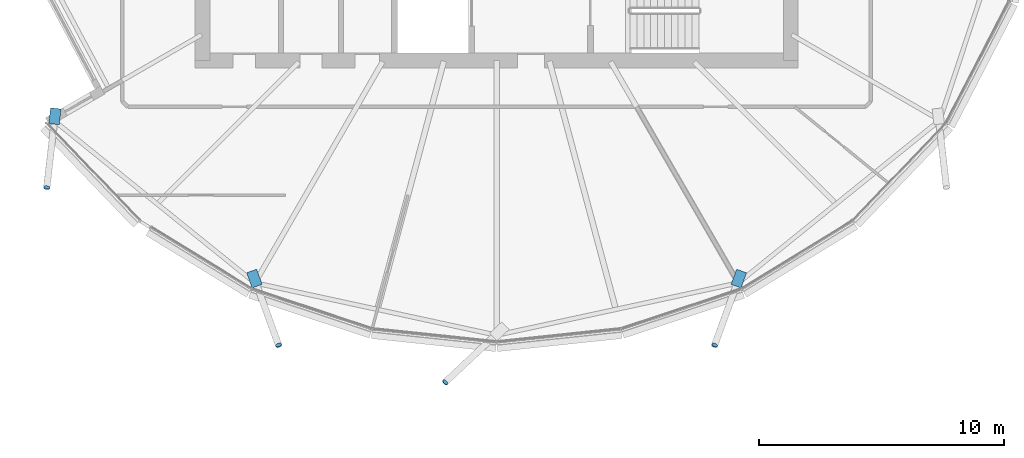
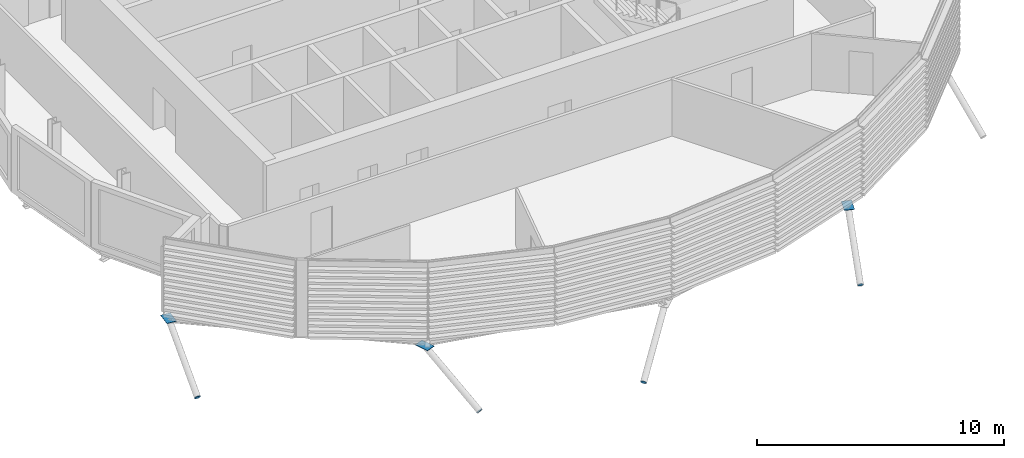
# One storey, part 26 of 36: 7 discrete accessories.
"""IFC4 building model written with IfcOpenShell, lengths in metres."""

import ifcopenshell
import ifcopenshell.guid

model = None  # the IFC model being written
_history = None  # IfcOwnerHistory: only IFC2X3 demands one
_inside = {}  # id of a spatial element -> (the spatial element, [elements in it])
_under = {}  # id of a project, library or spatial element -> (it, [spatial elements below it])
_declared = {}  # id of a project -> (the project, [libraries it declares])
_typed = {}  # id of a type object -> (the type object, [elements of that type])
_made_of = {}  # id of a material, layer set ... -> (it, [elements and type objects made of it])


def new_model(schema):
    """Start an empty IFC model of exactly this schema.

    Asked for "IFC4X3", IfcOpenShell would pick the latest addendum, in which some entities
    have other attributes; the version numbers below select the first issue.
    IFC2X3 requires an IfcOwnerHistory on every rooted entity: one is made here for all.
    """
    global model, _history
    if schema == "IFC4X3":
        model = ifcopenshell.file(schema_version=(4, 3, 0, 0))
    else:
        model = ifcopenshell.file(schema=schema)
    _inside.clear()
    _under.clear()
    _declared.clear()
    _typed.clear()
    _made_of.clear()
    _history = None
    if model.schema == "IFC2X3":
        org = make("IfcOrganization", Name="unknown")
        user = make(
            "IfcPersonAndOrganization",
            ThePerson=make("IfcPerson", FamilyName="unknown"),
            TheOrganization=org,
        )
        app = make(
            "IfcApplication",
            ApplicationDeveloper=org,
            Version="unknown",
            ApplicationFullName="unknown",
            ApplicationIdentifier="unknown",
        )
        _history = make(
            "IfcOwnerHistory",
            OwningUser=user,
            OwningApplication=app,
            ChangeAction="ADDED",
            CreationDate=0,
        )
    return model


def make(cls, **values):
    """One entity of the class cls with the attributes given. An attribute that is None is left unset."""
    return model.create_entity(
        cls, **{name: value for name, value in values.items() if value is not None}
    )


def rooted(cls, **values):
    """An entity with a GlobalId (a new one), such as an element, a storey or a relation."""
    return make(cls, GlobalId=ifcopenshell.guid.new(), OwnerHistory=_history, **values)


def si_unit(unit_type, name, prefix=None):
    """IfcSIUnit, for example si_unit("LENGTHUNIT", "METRE", prefix="MILLI")."""
    return make("IfcSIUnit", UnitType=unit_type, Prefix=prefix, Name=name)


def assignment(units):
    """IfcUnitAssignment: the units of a project."""
    return None if units is None else make("IfcUnitAssignment", Units=units)


def point(xyz):
    """IfcCartesianPoint."""
    return None if xyz is None else make("IfcCartesianPoint", Coordinates=xyz)


def direction(xyz):
    """IfcDirection."""
    return None if xyz is None else make("IfcDirection", DirectionRatios=xyz)


def frame(location, z_axis=None, x_axis=None):
    """IfcAxis2Placement3D, a coordinate frame: its origin and axes. An axis left out is left unset."""
    return make(
        "IfcAxis2Placement3D",
        Location=point(location),
        Axis=direction(z_axis),
        RefDirection=direction(x_axis),
    )


def frame_2d(location, x_axis=None):
    """IfcAxis2Placement2D, a coordinate frame in the plane: its origin and x axis."""
    return make(
        "IfcAxis2Placement2D", Location=point(location), RefDirection=direction(x_axis)
    )


def origin():
    """The frame at (0, 0, 0) with its axes left unset."""
    return frame((0.0, 0.0, 0.0))


def origin_2d():
    """The frame at (0, 0) in the plane with its x axis left unset."""
    return frame_2d((0.0, 0.0))


def place(relative_to, where):
    """IfcLocalPlacement: puts the frame where relative to a parent placement (None: the world)."""
    return make(
        "IfcLocalPlacement", PlacementRelTo=relative_to, RelativePlacement=where
    )


def context(
    kind, dimensions, precision=None, world=None, true_north=None, identifier=None
):
    """IfcGeometricRepresentationContext, for example the 3D "Model" context."""
    return make(
        "IfcGeometricRepresentationContext",
        ContextIdentifier=identifier,
        ContextType=kind,
        CoordinateSpaceDimension=dimensions,
        Precision=precision,
        WorldCoordinateSystem=world,
        TrueNorth=true_north,
    )


def subcontext(parent, identifier, kind, view, scale=None):
    """IfcGeometricRepresentationSubContext, for example "Body" below "Model"."""
    return make(
        "IfcGeometricRepresentationSubContext",
        ContextIdentifier=identifier,
        ContextType=kind,
        ParentContext=parent,
        TargetScale=scale,
        TargetView=view,
    )


def project(units=None, contexts=None):
    """IfcProject with its units and contexts."""
    return rooted(
        "IfcProject",
        Name="project",
        RepresentationContexts=contexts,
        UnitsInContext=assignment(units),
    )


def spatial(cls, under=None, at=None, **own):
    """A site, building, storey or space (cls), placed at a placement, below another one or the project."""
    s = rooted(cls, ObjectPlacement=at, **own)
    if under is not None:
        _under.setdefault(under.id(), (under, []))[1].append(s)
    return s


def polyline(points):
    """IfcPolyline through the points."""
    return make("IfcPolyline", Points=[point(p) for p in points])


def profile(cls, at=None, kind="AREA", **sizes):
    """A parametric profile (cls). Its sizes go by their IFC names, for example OverallWidth=200.0."""
    return make(cls, ProfileType=kind, Position=at, **sizes)


def rectangle(**sizes):
    """IfcRectangleProfileDef."""
    return profile("IfcRectangleProfileDef", **sizes)


def circle(**sizes):
    """IfcCircleProfileDef."""
    return profile("IfcCircleProfileDef", **sizes)


def outline(outer, holes=None, kind="AREA"):
    """IfcArbitraryClosedProfileDef: a profile drawn as a closed curve; with holes, ...WithVoids."""
    if holes is None:
        return make("IfcArbitraryClosedProfileDef", ProfileType=kind, OuterCurve=outer)
    return make(
        "IfcArbitraryProfileDefWithVoids",
        ProfileType=kind,
        OuterCurve=outer,
        InnerCurves=holes,
    )


def extrude(swept, where, along, depth):
    """IfcExtrudedAreaSolid: the profile swept, set in the frame where, extruded along a direction by depth."""
    return make(
        "IfcExtrudedAreaSolid",
        SweptArea=swept,
        Position=where,
        ExtrudedDirection=direction(along),
        Depth=depth,
    )


def shape(context_of_items, identifier, shape_type, items):
    """IfcShapeRepresentation: the items that make up one representation, for example the "Body"."""
    return make(
        "IfcShapeRepresentation",
        ContextOfItems=context_of_items,
        RepresentationIdentifier=identifier,
        RepresentationType=shape_type,
        Items=items,
    )


def material(Name=None, Category=None):
    """IfcMaterial."""
    return make("IfcMaterial", Name=Name, Category=Category)


def material_profile(
    of_material, cross_section, Name=None, Category=None, Priority=None
):
    """IfcMaterialProfile: a cross section and its material."""
    return make(
        "IfcMaterialProfile",
        Name=Name,
        Material=of_material,
        Profile=cross_section,
        Priority=Priority,
        Category=Category,
    )


def profile_set(profiles, Name=None, composite=None):
    """IfcMaterialProfileSet."""
    return make(
        "IfcMaterialProfileSet",
        Name=Name,
        MaterialProfiles=profiles,
        CompositeProfile=composite,
    )


def made_of(thing, what):
    """Note that an element or type object is made of a material, layer set ...; save() writes the relation."""
    if what is not None:
        _made_of.setdefault(what.id(), (what, []))[1].append(thing)
    return thing


def type_object(cls, material=None, **own):
    """A type object (cls), such as IfcWallType, which elements share."""
    return made_of(rooted(cls, **own), material)


def element(
    cls,
    number,
    at=None,
    inside=None,
    cuts=None,
    type_object=None,
    material=None,
    context=None,
    identifier="Body",
    shape_type=None,
    held_by="IfcProductDefinitionShape",
    body=None,
    shapes=None,
    **own,
):
    """One element of the class cls, such as IfcWall. Its Tag is "e" and its number.

    at: its placement. inside: the storey or other place that contains it. cuts: it is an
    opening in that element (IfcRelVoidsElement). A single representation is given by context,
    identifier, shape_type and body (its items); several are given by shapes. held_by: the class
    of the entity that holds the representations. save() writes the other relations.
    """
    e = rooted(cls, Tag="e%d" % number, ObjectPlacement=at, **own)
    if body is not None:
        shapes = [shape(context, identifier, shape_type, body)]
    if shapes is not None:
        e.Representation = make(held_by, Representations=shapes)
    if inside is not None:
        _inside.setdefault(inside.id(), (inside, []))[1].append(e)
    if cuts is not None:
        rooted(
            "IfcRelVoidsElement", RelatingBuildingElement=cuts, RelatedOpeningElement=e
        )
    if type_object is not None:
        _typed.setdefault(type_object.id(), (type_object, []))[1].append(e)
    return made_of(e, material)


def aggregate(whole, parts):
    """IfcRelAggregates: a whole, such as a stair, and the parts it consists of."""
    return rooted("IfcRelAggregates", RelatingObject=whole, RelatedObjects=parts)


def save(model, path):
    """Write the relations noted so far, then the file.

    IfcRelAggregates (storeys below a building ...), IfcRelContainedInSpatialStructure (elements
    in a storey), IfcRelDefinesByType, IfcRelAssociatesMaterial and IfcRelDeclares: one each for
    every whole, place, type object, material and project.
    """
    for whole, parts in _under.values():
        aggregate(whole, parts)
    for where, things in _inside.values():
        rooted(
            "IfcRelContainedInSpatialStructure",
            RelatedElements=things,
            RelatingStructure=where,
        )
    for kind, things in _typed.values():
        rooted("IfcRelDefinesByType", RelatedObjects=things, RelatingType=kind)
    for what, things in _made_of.values():
        rooted("IfcRelAssociatesMaterial", RelatedObjects=things, RelatingMaterial=what)
    for by, libraries in _declared.values():
        rooted("IfcRelDeclares", RelatingContext=by, RelatedDefinitions=libraries)
    model.write(path)


model = new_model("IFC4")

# Units and contexts
model_context = context("Model", 3, precision=1e-05, world=origin(), true_north=direction((0.0, 1.0)))
body_context = subcontext(model_context, "Body", "Model", "MODEL_VIEW")
ifc_project = project(units=[si_unit("LENGTHUNIT", "METRE"), si_unit("AREAUNIT", "SQUARE_METRE"), si_unit("VOLUMEUNIT", "CUBIC_METRE"), si_unit("PLANEANGLEUNIT", "RADIAN"), si_unit("MASSUNIT", "GRAM", prefix="KILO")], contexts=[model_context])

# Site, building, storey
site_placement = place(None, origin())
site = spatial("IfcSite", under=ifc_project, at=site_placement, CompositionType="ELEMENT")
building_placement = place(site_placement, origin())
building = spatial("IfcBuilding", under=site, at=building_placement, Name="Rimbun Link Towers", CompositionType="ELEMENT")
storey_placement = place(building_placement, frame((0.0, 0.0, 189.300048828125)))
storey = spatial("IfcBuildingStorey", under=building, at=storey_placement, Name="L46", CompositionType="ELEMENT", Elevation=189.300048828125)

# Discrete accessories
ifc_material_1 = material(Name="Steel S355J2H", Category="steel")
ifc_material_profile_1 = material_profile(ifc_material_1, circle(Radius=0.1240234375, at=origin_2d()), Name="PL D248")
ifc_profile_set_1 = profile_set([ifc_material_profile_1], Name="Steel S355J2H")
discrete_accessory_type_1 = type_object("IfcDiscreteAccessoryType", Name="Link foot sealing plate D248X20", PredefinedType="BRACKET", material=ifc_profile_set_1)
for number, where, z_axis, x_axis, name in (
    (1, (-50.1083984375, -13.183837890625, -2.516357421875), (-0.085813702775, -0.821359726564, -0.563918618238), (0.994586492849, -0.103912021641, 0.0), "Link foot sealing plate T1 L46 14"),
    (2, (-40.650634765625, -19.614501953125, -2.607177734375), (0.282044096163, -0.784818354541, -0.551825405536), (0.94107471628, 0.338198726163, 0.0), "Link foot sealing plate T1 L46 16"),
    (3, (-33.845703125, -21.130859375, -2.656005859375), (-0.620568386957, -0.584064364195, -0.523224326258), (0.685364699005, -0.728199992693, 0.0), "Link foot sealing plate T1 L46 18"),
    (4, (-22.849365234375, -19.614501953125, -2.607177734375), (-0.282044096163, -0.784818354541, -0.551825405536), (0.94107471628, -0.338198726163, 0.0), "Link foot sealing plate T1 L46 20"),
):
    element("IfcDiscreteAccessory", number, at=place(storey_placement, frame(where, z_axis=z_axis, x_axis=x_axis)), inside=storey, type_object=discrete_accessory_type_1, Name=name, PredefinedType="BRACKET", context=body_context, shape_type="SweptSolid", body=[
        extrude(circle(Radius=0.1240234375, at=origin_2d()), origin(), (0.0, 0.0, 1.0), 0.02001953125),
    ])
ifc_material_2 = material(Name="Steel S355J2H", Category="steel")
ifc_material_profile_2 = material_profile(ifc_material_2, rectangle(XDim=0.43310546875, YDim=0.43310546875, at=origin_2d()), Name="PL 433x433")
ifc_profile_set_2 = profile_set([ifc_material_profile_2], Name="Steel S355J2H")
discrete_accessory_type_2 = type_object("IfcDiscreteAccessoryType", Name="Link head end plate 433X20", PredefinedType="BRACKET", material=ifc_profile_set_2)
discrete_accessory_1_placement = place(storey_placement, frame((0.0, 0.0, -0.525146484375)))
element("IfcDiscreteAccessory", 5, at=discrete_accessory_1_placement, inside=storey, type_object=discrete_accessory_type_2, Name="Link head end plate T1 L46 14", PredefinedType="BRACKET", context=body_context, shape_type="SweptSolid", body=[
    extrude(outline(polyline([(-49.95361328125, -9.935302734375), (-50.027099609375, -10.576171875), (-49.596923828125, -10.62548828125), (-49.5234375, -9.98486328125), (-49.95361328125, -9.935302734375)])), origin(), (0.0, 0.0, 1.0), 0.02001953125),
])
discrete_accessory_2_placement = place(storey_placement, frame((0.0, 0.0, -0.703125)))
element("IfcDiscreteAccessory", 6, at=discrete_accessory_2_placement, inside=storey, type_object=discrete_accessory_type_2, Name="Link head end plate T1 L46 16", PredefinedType="BRACKET", context=body_context, shape_type="SweptSolid", body=[
    extrude(outline(polyline([(-41.950439453125, -16.669189453125), (-41.726806640625, -17.285400390625), (-41.319580078125, -17.1376953125), (-41.54345703125, -16.521484375), (-41.950439453125, -16.669189453125)])), origin(), (0.0, 0.0, 1.0), 0.02001953125),
])
discrete_accessory_3_placement = place(storey_placement, frame((0.0, 0.0, -0.703125)))
element("IfcDiscreteAccessory", 7, at=discrete_accessory_3_placement, inside=storey, type_object=discrete_accessory_type_2, Name="Link head end plate T1 L46 20", PredefinedType="BRACKET", context=body_context, shape_type="SweptSolid", body=[
    extrude(outline(polyline([(-21.95654296875, -16.521484375), (-22.180419921875, -17.1376953125), (-21.773193359375, -17.285400390625), (-21.549560546875, -16.669189453125), (-21.95654296875, -16.521484375)])), origin(), (0.0, 0.0, 1.0), 0.02001953125),
])

save(model, "model.ifc")
